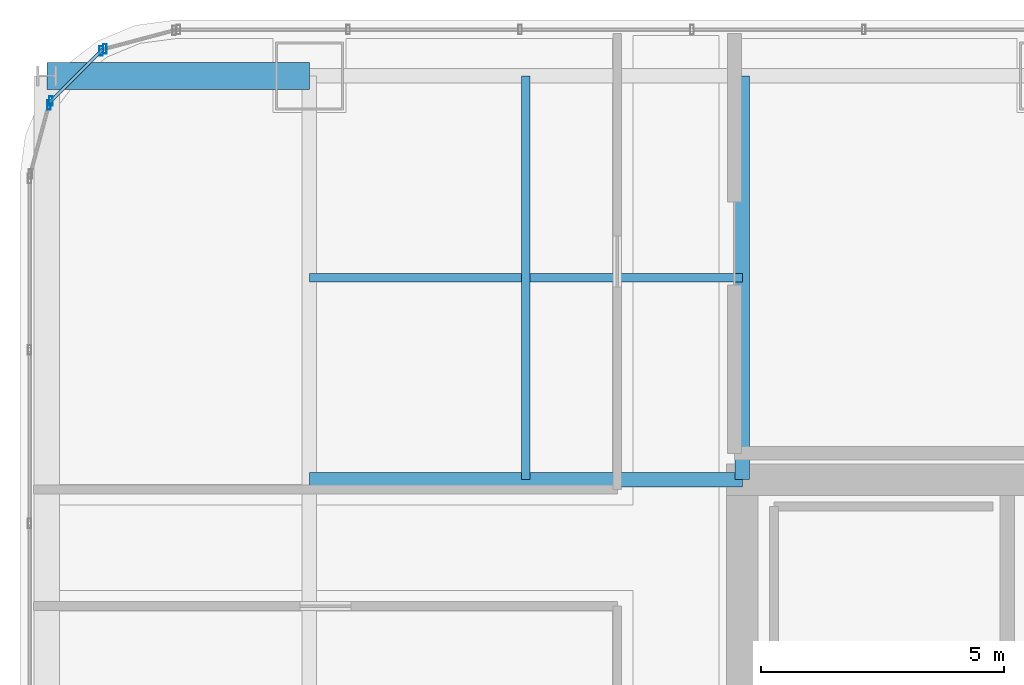
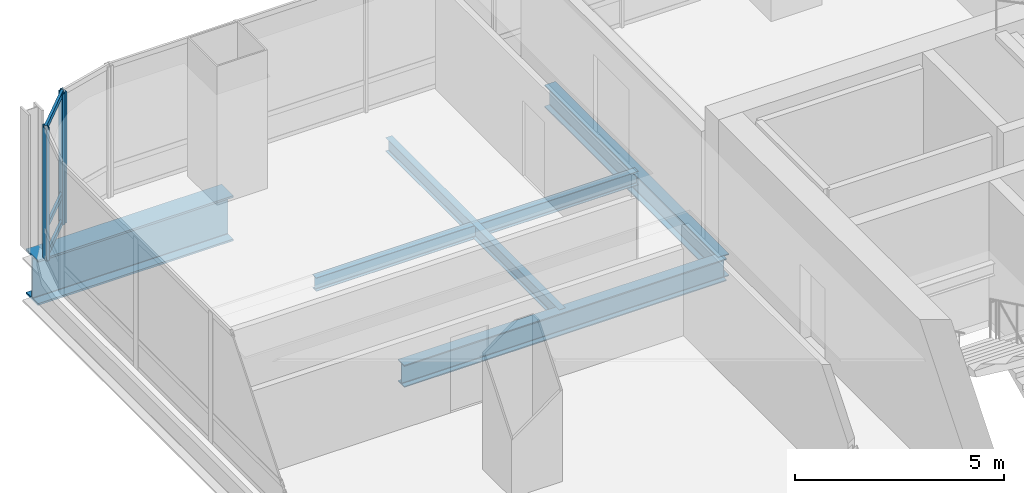
# One storey, part 19 of 36: 7 members, 5 beams, 3 elements without a shape of their own.
"""IFC4 building model written with IfcOpenShell, lengths in metres."""

from ifc_helpers import new_model, si_unit, direction, frame, origin, origin_2d, place, context, subcontext, project, spatial, hollow_rectangle, i_section, extrude, material, material_profile, profile_set, type_object, element, aggregate, save


model = new_model("IFC4")

# Units and contexts
model_context = context("Model", 3, precision=1e-05, world=origin(), true_north=direction((0.0, 1.0)))
body_context = subcontext(model_context, "Body", "Model", "MODEL_VIEW")
ifc_project = project(units=[si_unit("LENGTHUNIT", "METRE"), si_unit("AREAUNIT", "SQUARE_METRE"), si_unit("VOLUMEUNIT", "CUBIC_METRE"), si_unit("PLANEANGLEUNIT", "RADIAN"), si_unit("MASSUNIT", "GRAM", prefix="KILO")], contexts=[model_context])

# Site, building, storey
site_placement = place(None, origin())
site = spatial("IfcSite", under=ifc_project, at=site_placement, CompositionType="ELEMENT")
building_placement = place(site_placement, origin())
building = spatial("IfcBuilding", under=site, at=building_placement, Name="Punatoya Terracotta Tower", CompositionType="ELEMENT")
storey_placement = place(building_placement, frame((0.0, 0.0, 180.300048828125)))
storey = spatial("IfcBuildingStorey", under=building, at=storey_placement, Name="L42", CompositionType="ELEMENT", Elevation=180.300048828125)

# Beams
ifc_material_1 = material(Name="Steel S355", Category="steel")
ifc_material_profile_1 = material_profile(ifc_material_1, i_section(OverallWidth=0.300048828125, OverallDepth=0.64990234375, WebThickness=0.01611328125, FlangeThickness=0.031005859375, FilletRadius=0.01806640625, at=origin_2d()))
ifc_profile_set_1 = profile_set([ifc_material_profile_1], Name="Steel S355")
beam_type_1 = type_object("IfcBeamType", Name="BM-PRI-650", PredefinedType="BEAM", material=ifc_profile_set_1)
beam_1_placement = place(storey_placement, frame((-19.10009765625, 9.199951171875, -0.545166015625), z_axis=(1.0, 0.0, 0.0), x_axis=(0.0, 1.0, 0.0)))
element("IfcBeam", 1, at=beam_1_placement, inside=storey, type_object=beam_type_1, Name="BM-L42-PR-WN", PredefinedType="BEAM", context=body_context, shape_type="SweptSolid", body=[
    extrude(i_section(OverallWidth=0.300048828125, OverallDepth=0.64990234375, WebThickness=0.01611328125, FlangeThickness=0.031005859375, FilletRadius=0.01806640625, at=origin_2d()), origin(), (0.0, 0.0, 1.0), 8.900146484375),
])
beam_2_placement = place(storey_placement, frame((-10.199951171875, 9.199951171875, -0.545166015625), z_axis=(0.0, 1.0, 0.0), x_axis=(-1.0, 0.0, 0.0)))
element("IfcBeam", 2, at=beam_2_placement, inside=storey, type_object=beam_type_1, Name="BM-L42-PR-N1", PredefinedType="BEAM", context=body_context, shape_type="SweptSolid", body=[
    extrude(i_section(OverallWidth=0.300048828125, OverallDepth=0.64990234375, WebThickness=0.01611328125, FlangeThickness=0.031005859375, FilletRadius=0.01806640625, at=origin_2d()), origin(), (0.0, 0.0, 1.0), 8.300048828125),
])
ifc_material_profile_2 = material_profile(ifc_material_1, i_section(OverallWidth=0.179931640625, OverallDepth=0.39990234375, WebThickness=0.008544921875, FlangeThickness=0.013427734375, FilletRadius=0.01806640625, at=origin_2d()))
ifc_profile_set_2 = profile_set([ifc_material_profile_2], Name="Steel S355")
beam_type_2 = type_object("IfcBeamType", Name="BM-SEC-400", PredefinedType="JOIST", material=ifc_profile_set_2)
beam_3_placement = place(storey_placement, frame((-19.10009765625, 13.35009765625, -0.420166015625), z_axis=(1.0, 0.0, 0.0), x_axis=(0.0, 1.0, 0.0)))
element("IfcBeam", 3, at=beam_3_placement, inside=storey, type_object=beam_type_2, Name="BM-L42-SJN-1", PredefinedType="JOIST", context=body_context, shape_type="SweptSolid", body=[
    extrude(i_section(OverallWidth=0.179931640625, OverallDepth=0.39990234375, WebThickness=0.008544921875, FlangeThickness=0.013427734375, FilletRadius=0.01806640625, at=origin_2d()), origin(), (0.0, 0.0, 1.0), 8.900146484375),
])
beam_4_placement = place(storey_placement, frame((-14.64990234375, 9.199951171875, -0.420166015625), z_axis=(0.0, 1.0, 0.0), x_axis=(-1.0, 0.0, 0.0)))
element("IfcBeam", 4, at=beam_4_placement, inside=storey, type_object=beam_type_2, Name="BM-L42-SJW-2", PredefinedType="JOIST", context=body_context, shape_type="SweptSolid", body=[
    extrude(i_section(OverallWidth=0.179931640625, OverallDepth=0.39990234375, WebThickness=0.008544921875, FlangeThickness=0.013427734375, FilletRadius=0.01806640625, at=origin_2d()), origin(), (0.0, 0.0, 1.0), 8.300048828125),
])
ifc_material_2 = material(Name="Steel S460", Category="steel")
ifc_material_profile_3 = material_profile(ifc_material_2, i_section(OverallWidth=0.56005859375, OverallDepth=1.320068359375, WebThickness=0.035888671875, FlangeThickness=0.054931640625, FilletRadius=0.01806640625, at=origin_2d()))
ifc_profile_set_3 = profile_set([ifc_material_profile_3], Name="Steel S460")
beam_type_3 = type_object("IfcBeamType", Name="BM-TG-BLK", PredefinedType="BEAM", material=ifc_profile_set_3)
beam_5_placement = place(storey_placement, frame((-24.5, 17.5, -0.880126953125), z_axis=(1.0, 0.0, 0.0), x_axis=(0.0, 1.0, 0.0)))
element("IfcBeam", 5, at=beam_5_placement, inside=storey, type_object=beam_type_3, Name="BM-L42-CANT-W4", PredefinedType="BEAM", context=body_context, shape_type="SweptSolid", body=[
    extrude(i_section(OverallWidth=0.56005859375, OverallDepth=1.320068359375, WebThickness=0.035888671875, FlangeThickness=0.054931640625, FilletRadius=0.01806640625, at=origin_2d()), origin(), (0.0, 0.0, 1.0), 5.39990234375),
])

# Curtain wall, member
ifc_material_3 = material(Name="Aluminium 6063-T6 + Double Low-E Glass", Category="aluminium")
curtain_wall_type = type_object("IfcCurtainWallType", Name="CW-M2", PredefinedType="NOTDEFINED", material=ifc_material_3)
curtain_wall_1_placement = place(storey_placement, origin())
curtain_wall_1 = element("IfcCurtainWall", 6, at=curtain_wall_1_placement, inside=storey, type_object=curtain_wall_type, Name="L42 Curtain Wall CW-L42-CRN10", PredefinedType="NOTDEFINED")
ifc_material_4 = material(Name="Aluminium 6063-T6", Category="aluminium")
ifc_material_profile_4 = material_profile(ifc_material_4, hollow_rectangle(XDim=0.072021484375, YDim=0.195068359375, WallThickness=0.00439453125, at=origin_2d()))
ifc_profile_set_4 = profile_set([ifc_material_profile_4], Name="Aluminium 6063-T6")
member_type_1 = type_object("IfcMemberType", Name="CW-MUL-M2", PredefinedType="MULLION", material=ifc_profile_set_4)
member_1_placement = place(storey_placement, frame((-23.3056640625, 18.05810546875, 0.0), z_axis=(0.0, 0.0, 1.0), x_axis=(1.0, 0.0, 0.0)))
member_1 = element("IfcMember", 7, at=member_1_placement, type_object=member_type_1, Name="CW-L42-CRN10 Mullion 01", PredefinedType="MULLION", context=body_context, shape_type="SweptSolid", body=[
    extrude(hollow_rectangle(XDim=0.072021484375, YDim=0.195068359375, WallThickness=0.00439453125, at=origin_2d()), origin(), (0.0, 0.0, 1.0), 3.829833984375),
])
aggregate(curtain_wall_1, [member_1])

# Curtain wall, members
curtain_wall_2_placement = place(storey_placement, origin())
curtain_wall_2 = element("IfcCurtainWall", 8, at=curtain_wall_2_placement, inside=storey, type_object=curtain_wall_type, Name="L42 Curtain Wall CW-L42-CRN11", PredefinedType="NOTDEFINED")
member_2_placement = place(storey_placement, frame((-23.380859375, 18.014892578125, 0.0), z_axis=(0.0, 0.0, 1.0), x_axis=(1.0, 0.0, 0.0)))
member_2 = element("IfcMember", 9, at=member_2_placement, type_object=member_type_1, Name="CW-L42-CRN11 Mullion 00", PredefinedType="MULLION", context=body_context, shape_type="SweptSolid", body=[
    extrude(hollow_rectangle(XDim=0.072021484375, YDim=0.195068359375, WallThickness=0.00439453125, at=origin_2d()), origin(), (0.0, 0.0, 1.0), 3.829833984375),
])
member_3_placement = place(storey_placement, frame((-24.414794921875, 16.98095703125, 0.0), z_axis=(0.0, 0.0, 1.0), x_axis=(1.0, 0.0, 0.0)))
member_3 = element("IfcMember", 10, at=member_3_placement, type_object=member_type_1, Name="CW-L42-CRN11 Mullion 01", PredefinedType="MULLION", context=body_context, shape_type="SweptSolid", body=[
    extrude(hollow_rectangle(XDim=0.072021484375, YDim=0.195068359375, WallThickness=0.00439453125, at=origin_2d()), origin(), (0.0, 0.0, 1.0), 3.829833984375),
])

# Curtain wall, member
curtain_wall_3_placement = place(storey_placement, origin())
curtain_wall_3 = element("IfcCurtainWall", 11, at=curtain_wall_3_placement, inside=storey, type_object=curtain_wall_type, Name="L42 Curtain Wall CW-L42-CRN12", PredefinedType="NOTDEFINED")
member_4_placement = place(storey_placement, frame((-24.458251953125, 16.905517578125, 0.0), z_axis=(0.0, 0.0, 1.0), x_axis=(1.0, 0.0, 0.0)))
member_4 = element("IfcMember", 12, at=member_4_placement, type_object=member_type_1, Name="CW-L42-CRN12 Mullion 00", PredefinedType="MULLION", context=body_context, shape_type="SweptSolid", body=[
    extrude(hollow_rectangle(XDim=0.072021484375, YDim=0.195068359375, WallThickness=0.00439453125, at=origin_2d()), origin(), (0.0, 0.0, 1.0), 3.829833984375),
])
aggregate(curtain_wall_3, [member_4])

# Member
ifc_material_profile_5 = material_profile(ifc_material_4, hollow_rectangle(XDim=0.068115234375, YDim=0.14990234375, WallThickness=0.00390625, at=origin_2d()))
ifc_profile_set_5 = profile_set([ifc_material_profile_5], Name="Aluminium 6063-T6")
member_type_2 = type_object("IfcMemberType", Name="CW-TRN-TYP", PredefinedType="USERDEFINED", material=ifc_profile_set_5)
member_5_placement = place(storey_placement, frame((-23.34912109375, 18.046630859375, 0.0400390625), z_axis=(-0.707106781187, -0.707106781187, 0.0), x_axis=(0.707106781187, -0.707106781187, 0.0)))
member_5 = element("IfcMember", 13, at=member_5_placement, type_object=member_type_2, Name="CW-L42-CRN11 Transom 1", ObjectType="TRANSOM", PredefinedType="USERDEFINED", context=body_context, shape_type="SweptSolid", body=[
    extrude(hollow_rectangle(XDim=0.068115234375, YDim=0.14990234375, WallThickness=0.00390625, at=origin_2d()), origin(), (0.0, 0.0, 1.0), 1.552001953125),
])

member_6_placement = place(storey_placement, frame((-23.34912109375, 18.046630859375, 0.849853515625), z_axis=(-0.707106781187, -0.707106781187, 0.0), x_axis=(0.707106781187, -0.707106781187, 0.0)))
member_6 = element("IfcMember", 14, at=member_6_placement, type_object=member_type_2, Name="CW-L42-CRN11 Transom 2", ObjectType="TRANSOM", PredefinedType="USERDEFINED", context=body_context, shape_type="SweptSolid", body=[
    extrude(hollow_rectangle(XDim=0.068115234375, YDim=0.14990234375, WallThickness=0.00390625, at=origin_2d()), origin(), (0.0, 0.0, 1.0), 1.552001953125),
])

member_7_placement = place(storey_placement, frame((-23.34912109375, 18.046630859375, 3.7900390625), z_axis=(-0.707106781187, -0.707106781187, 0.0), x_axis=(0.707106781187, -0.707106781187, 0.0)))
member_7 = element("IfcMember", 15, at=member_7_placement, type_object=member_type_2, Name="CW-L42-CRN11 Transom 3", ObjectType="TRANSOM", PredefinedType="USERDEFINED", context=body_context, shape_type="SweptSolid", body=[
    extrude(hollow_rectangle(XDim=0.068115234375, YDim=0.14990234375, WallThickness=0.00390625, at=origin_2d()), origin(), (0.0, 0.0, 1.0), 1.552001953125),
])

aggregate(curtain_wall_2, [member_2, member_3, member_5, member_6, member_7])

save(model, "model.ifc")
